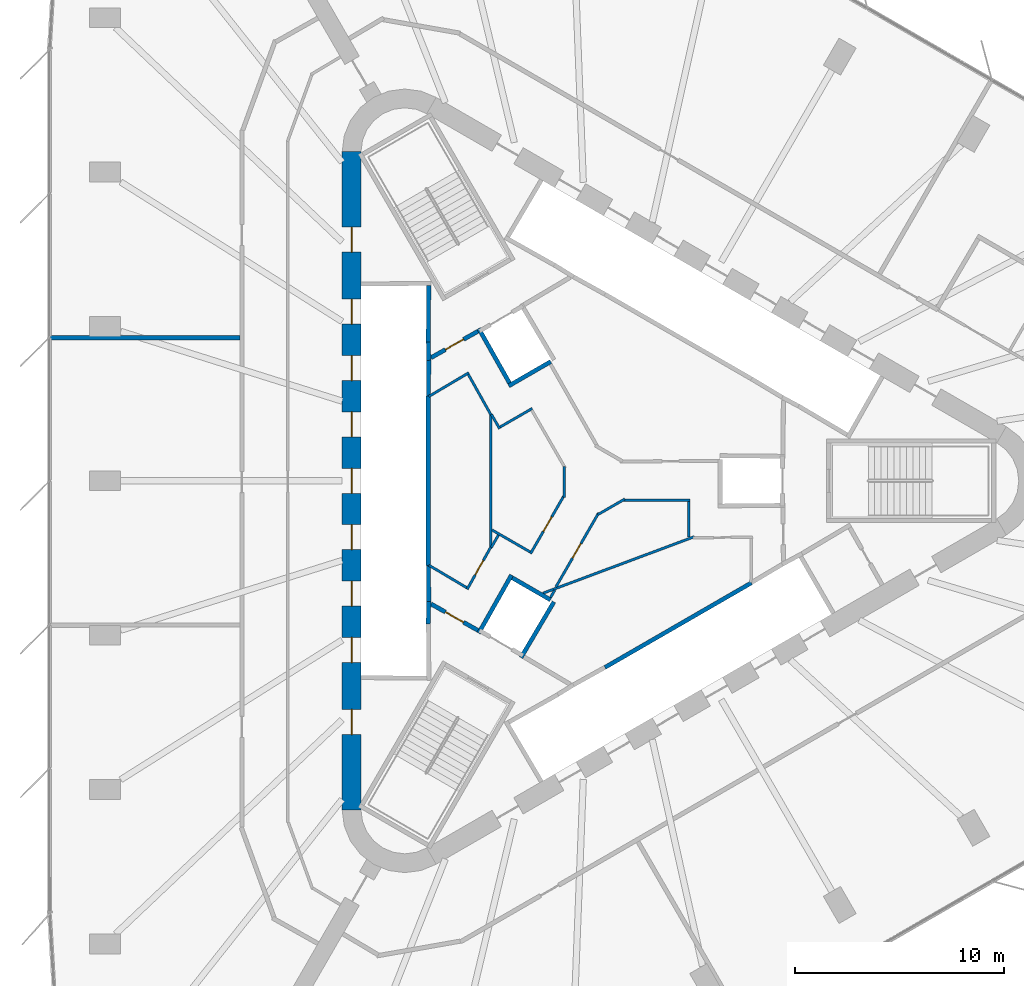
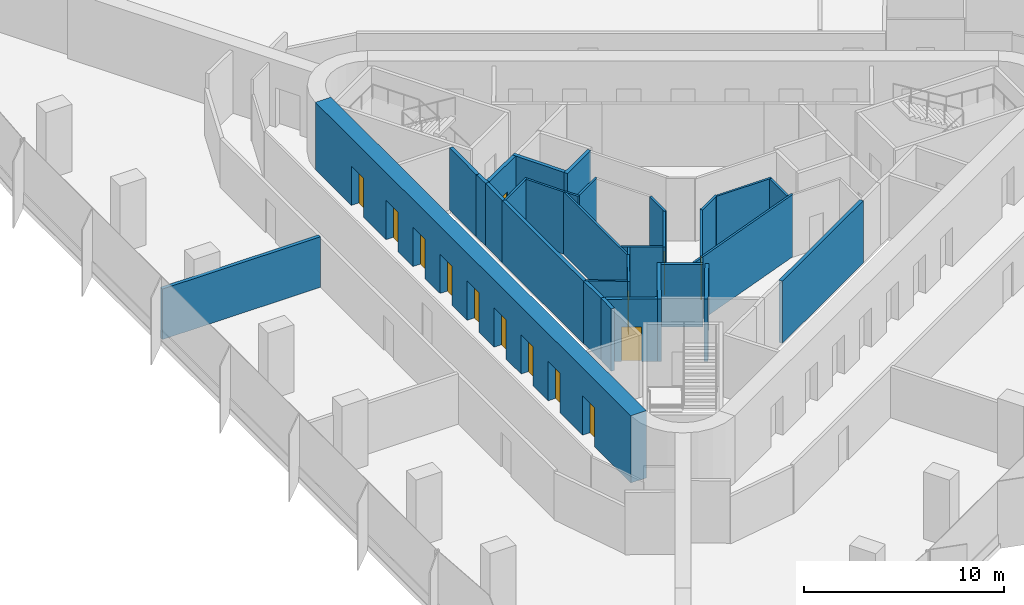
# One storey, part 10 of 14: 33 walls, 14 doors, 14 openings.
"""IFC4 building model written with IfcOpenShell, lengths in metres."""

from ifc_helpers import new_model, si_unit, direction, frame, frame_2d, origin, place, context, subcontext, project, spatial, rectangle, extrude, material, layer, layer_set, type_object, element, fill, save


model = new_model("IFC4")

# Units and contexts
model_context = context("Model", 3, precision=1e-05, world=origin(), true_north=direction((0.0, 1.0)))
body_context = subcontext(model_context, "Body", "Model", "MODEL_VIEW")
ifc_project = project(units=[si_unit("LENGTHUNIT", "METRE"), si_unit("AREAUNIT", "SQUARE_METRE"), si_unit("VOLUMEUNIT", "CUBIC_METRE"), si_unit("PLANEANGLEUNIT", "RADIAN"), si_unit("MASSUNIT", "GRAM", prefix="KILO")], contexts=[model_context])

# Site, building, storey
site_placement = place(None, origin())
site = spatial("IfcSite", under=ifc_project, at=site_placement, CompositionType="ELEMENT")
building_placement = place(site_placement, origin())
building = spatial("IfcBuilding", under=site, at=building_placement, Name="Tanit Gate Tower", CompositionType="ELEMENT")
storey_placement = place(building_placement, frame((0.0, 0.0, 49.60009765625)))
storey = spatial("IfcBuildingStorey", under=building, at=storey_placement, Name="L08", CompositionType="ELEMENT", Elevation=49.60009765625)

# Wall, openings, doors
ifc_material_1 = material(Name="Concrete C60/75", Category="concrete")
ifc_layer_1 = layer(ifc_material_1, 0.89990234375)
ifc_layer_set_1 = layer_set([ifc_layer_1], Name="CORE WALL 900 C60/75")
wall_type_1 = type_object("IfcWallType", Name="CORE WALL 900 C60/75", PredefinedType="SHEAR", material=ifc_layer_set_1)
wall_1_placement = place(storey_placement, frame((-11.64990234375, 15.76171875, 0.0), z_axis=(0.0, 0.0, 1.0), x_axis=(0.0, -1.0, 0.0)))
wall_1 = element("IfcWall", 1, at=wall_1_placement, inside=storey, type_object=wall_type_1, Name="CORE WALL", PredefinedType="SHEAR", context=body_context, shape_type="SweptSolid", body=[
    extrude(rectangle(XDim=31.5234375, YDim=0.89990234375, at=frame_2d((15.76171875, 0.0))), origin(), (0.0, 0.0, 1.0), 4.099853515625),
])
opening_1_placement = place(wall_1_placement, frame((7.061767578125, 0.0, 0.0)))
opening_1 = element("IfcOpeningElement", 2, at=opening_1_placement, cuts=wall_1, Name="Opening LDLL1-S00", PredefinedType="OPENING", context=body_context, shape_type="SweptSolid", body=[
    extrude(rectangle(XDim=1.199951171875, YDim=2.39990234375, at=frame_2d((0.60009765625, 1.199951171875))), frame((0.0, 0.4599609375, 0.0), z_axis=(0.0, -1.0, 0.0), x_axis=(1.0, 0.0, 0.0)), (0.0, 0.0, 1.0), 0.919921875),
])
opening_2_placement = place(wall_1_placement, frame((9.76171875, 0.0, 0.0)))
opening_2 = element("IfcOpeningElement", 3, at=opening_2_placement, cuts=wall_1, Name="Opening LDLL2-S00", PredefinedType="OPENING", context=body_context, shape_type="SweptSolid", body=[
    extrude(rectangle(XDim=1.199951171875, YDim=2.39990234375, at=frame_2d((0.60009765625, 1.199951171875))), frame((0.0, 0.4599609375, 0.0), z_axis=(0.0, -1.0, 0.0), x_axis=(1.0, 0.0, 0.0)), (0.0, 0.0, 1.0), 0.919921875),
])
opening_3_placement = place(wall_1_placement, frame((12.461669921875, 0.0, 0.0)))
opening_3 = element("IfcOpeningElement", 4, at=opening_3_placement, cuts=wall_1, Name="Opening LDLL3-S00", PredefinedType="OPENING", context=body_context, shape_type="SweptSolid", body=[
    extrude(rectangle(XDim=1.199951171875, YDim=2.39990234375, at=frame_2d((0.60009765625, 1.199951171875))), frame((0.0, 0.4599609375, 0.0), z_axis=(0.0, -1.0, 0.0), x_axis=(1.0, 0.0, 0.0)), (0.0, 0.0, 1.0), 0.919921875),
])
opening_4_placement = place(wall_1_placement, frame((15.16162109375, 0.0, 0.0)))
opening_4 = element("IfcOpeningElement", 5, at=opening_4_placement, cuts=wall_1, Name="Opening LDLL4-S00", PredefinedType="OPENING", context=body_context, shape_type="SweptSolid", body=[
    extrude(rectangle(XDim=1.199951171875, YDim=2.39990234375, at=frame_2d((0.60009765625, 1.199951171875))), frame((0.0, 0.4599609375, 0.0), z_axis=(0.0, -1.0, 0.0), x_axis=(1.0, 0.0, 0.0)), (0.0, 0.0, 1.0), 0.919921875),
])
opening_5_placement = place(wall_1_placement, frame((17.86181640625, 0.0, 0.0)))
opening_5 = element("IfcOpeningElement", 6, at=opening_5_placement, cuts=wall_1, Name="Opening LDLL5-S00", PredefinedType="OPENING", context=body_context, shape_type="SweptSolid", body=[
    extrude(rectangle(XDim=1.199951171875, YDim=2.39990234375, at=frame_2d((0.60009765625, 1.199951171875))), frame((0.0, 0.4599609375, 0.0), z_axis=(0.0, -1.0, 0.0), x_axis=(1.0, 0.0, 0.0)), (0.0, 0.0, 1.0), 0.919921875),
])
opening_6_placement = place(wall_1_placement, frame((20.561767578125, 0.0, 0.0)))
opening_6 = element("IfcOpeningElement", 7, at=opening_6_placement, cuts=wall_1, Name="Opening LDLL6-S00", PredefinedType="OPENING", context=body_context, shape_type="SweptSolid", body=[
    extrude(rectangle(XDim=1.199951171875, YDim=2.39990234375, at=frame_2d((0.60009765625, 1.199951171875))), frame((0.0, 0.4599609375, 0.0), z_axis=(0.0, -1.0, 0.0), x_axis=(1.0, 0.0, 0.0)), (0.0, 0.0, 1.0), 0.919921875),
])
opening_7_placement = place(wall_1_placement, frame((23.26171875, 0.0, 0.0)))
opening_7 = element("IfcOpeningElement", 8, at=opening_7_placement, cuts=wall_1, Name="Opening LDLL7-S00", PredefinedType="OPENING", context=body_context, shape_type="SweptSolid", body=[
    extrude(rectangle(XDim=1.199951171875, YDim=2.39990234375, at=frame_2d((0.60009765625, 1.199951171875))), frame((0.0, 0.4599609375, 0.0), z_axis=(0.0, -1.0, 0.0), x_axis=(1.0, 0.0, 0.0)), (0.0, 0.0, 1.0), 0.919921875),
])
opening_8_placement = place(wall_1_placement, frame((3.61181640625, 0.0, 0.0)))
opening_8 = element("IfcOpeningElement", 9, at=opening_8_placement, cuts=wall_1, Name="Opening F12-S00-FL2", PredefinedType="OPENING", context=body_context, shape_type="SweptSolid", body=[
    extrude(rectangle(XDim=1.199951171875, YDim=2.39990234375, at=frame_2d((0.60009765625, 1.199951171875))), frame((0.0, 0.4599609375, 0.0), z_axis=(0.0, -1.0, 0.0), x_axis=(1.0, 0.0, 0.0)), (0.0, 0.0, 1.0), 0.919921875),
])
opening_9_placement = place(wall_1_placement, frame((26.711669921875, 0.0, 0.0)))
opening_9 = element("IfcOpeningElement", 10, at=opening_9_placement, cuts=wall_1, Name="Opening F12-S00-S3", PredefinedType="OPENING", context=body_context, shape_type="SweptSolid", body=[
    extrude(rectangle(XDim=1.199951171875, YDim=2.39990234375, at=frame_2d((0.60009765625, 1.199951171875))), frame((0.0, 0.4599609375, 0.0), z_axis=(0.0, -1.0, 0.0), x_axis=(1.0, 0.0, 0.0)), (0.0, 0.0, 1.0), 0.919921875),
])
ifc_material_2 = material(Name="Fire-rated steel door leaf", Category="steel")
door_type_1 = type_object("IfcDoorType", Name="INT-DOOR-FIRE-LOBBY-1200", OperationType="NOTDEFINED", PredefinedType="USERDEFINED", material=ifc_material_2)
door_1_placement = place(opening_8_placement, origin())
door_1 = element("IfcDoor", 11, at=door_1_placement, inside=storey, type_object=door_type_1, Name="Door F12-S00-FL2", ObjectType="FIRE DOOR", OperationType="SINGLE_SWING_RIGHT", OverallHeight=2.39990234375, OverallWidth=1.199951171875, PredefinedType="USERDEFINED", context=body_context, shape_type="SweptSolid", body=[
    extrude(rectangle(XDim=1.199951171875, YDim=2.39990234375, at=frame_2d((0.60009765625, 1.199951171875))), frame((0.0, 0.02490234375, 0.0), z_axis=(0.0, -1.0, 0.0), x_axis=(1.0, 0.0, 0.0)), (0.0, 0.0, 1.0), 0.050048828125),
])
fill(opening_8, door_1)
door_2_placement = place(opening_9_placement, origin())
door_2 = element("IfcDoor", 12, at=door_2_placement, inside=storey, type_object=door_type_1, Name="Door F12-S00-S3", ObjectType="FIRE DOOR", OperationType="SINGLE_SWING_RIGHT", OverallHeight=2.39990234375, OverallWidth=1.199951171875, PredefinedType="USERDEFINED", context=body_context, shape_type="SweptSolid", body=[
    extrude(rectangle(XDim=1.199951171875, YDim=2.39990234375, at=frame_2d((0.60009765625, 1.199951171875))), frame((0.0, 0.02490234375, 0.0), z_axis=(0.0, -1.0, 0.0), x_axis=(1.0, 0.0, 0.0)), (0.0, 0.0, 1.0), 0.050048828125),
])
fill(opening_9, door_2)
ifc_material_3 = material(Name="Stainless steel sliding door leaf", Category="steel")
door_type_2 = type_object("IfcDoorType", Name="INT-DOOR-LANDING-1200", OperationType="NOTDEFINED", PredefinedType="USERDEFINED", material=ifc_material_3)
door_3_placement = place(opening_1_placement, origin())
door_3 = element("IfcDoor", 13, at=door_3_placement, inside=storey, type_object=door_type_2, Name="Door LDLL1-S00", ObjectType="LANDING DOOR", OperationType="SLIDING_TO_LEFT", OverallHeight=2.39990234375, OverallWidth=1.199951171875, PredefinedType="USERDEFINED", context=body_context, shape_type="SweptSolid", body=[
    extrude(rectangle(XDim=1.199951171875, YDim=2.39990234375, at=frame_2d((0.60009765625, 1.199951171875))), frame((0.0, 0.02490234375, 0.0), z_axis=(0.0, -1.0, 0.0), x_axis=(1.0, 0.0, 0.0)), (0.0, 0.0, 1.0), 0.050048828125),
])
fill(opening_1, door_3)
door_4_placement = place(opening_2_placement, origin())
door_4 = element("IfcDoor", 14, at=door_4_placement, inside=storey, type_object=door_type_2, Name="Door LDLL2-S00", ObjectType="LANDING DOOR", OperationType="SLIDING_TO_LEFT", OverallHeight=2.39990234375, OverallWidth=1.199951171875, PredefinedType="USERDEFINED", context=body_context, shape_type="SweptSolid", body=[
    extrude(rectangle(XDim=1.199951171875, YDim=2.39990234375, at=frame_2d((0.60009765625, 1.199951171875))), frame((0.0, 0.02490234375, 0.0), z_axis=(0.0, -1.0, 0.0), x_axis=(1.0, 0.0, 0.0)), (0.0, 0.0, 1.0), 0.050048828125),
])
fill(opening_2, door_4)
door_5_placement = place(opening_3_placement, origin())
door_5 = element("IfcDoor", 15, at=door_5_placement, inside=storey, type_object=door_type_2, Name="Door LDLL3-S00", ObjectType="LANDING DOOR", OperationType="SLIDING_TO_LEFT", OverallHeight=2.39990234375, OverallWidth=1.199951171875, PredefinedType="USERDEFINED", context=body_context, shape_type="SweptSolid", body=[
    extrude(rectangle(XDim=1.199951171875, YDim=2.39990234375, at=frame_2d((0.60009765625, 1.199951171875))), frame((0.0, 0.02490234375, 0.0), z_axis=(0.0, -1.0, 0.0), x_axis=(1.0, 0.0, 0.0)), (0.0, 0.0, 1.0), 0.050048828125),
])
fill(opening_3, door_5)
door_6_placement = place(opening_4_placement, origin())
door_6 = element("IfcDoor", 16, at=door_6_placement, inside=storey, type_object=door_type_2, Name="Door LDLL4-S00", ObjectType="LANDING DOOR", OperationType="SLIDING_TO_LEFT", OverallHeight=2.39990234375, OverallWidth=1.199951171875, PredefinedType="USERDEFINED", context=body_context, shape_type="SweptSolid", body=[
    extrude(rectangle(XDim=1.199951171875, YDim=2.39990234375, at=frame_2d((0.60009765625, 1.199951171875))), frame((0.0, 0.02490234375, 0.0), z_axis=(0.0, -1.0, 0.0), x_axis=(1.0, 0.0, 0.0)), (0.0, 0.0, 1.0), 0.050048828125),
])
fill(opening_4, door_6)
door_7_placement = place(opening_5_placement, origin())
door_7 = element("IfcDoor", 17, at=door_7_placement, inside=storey, type_object=door_type_2, Name="Door LDLL5-S00", ObjectType="LANDING DOOR", OperationType="SLIDING_TO_LEFT", OverallHeight=2.39990234375, OverallWidth=1.199951171875, PredefinedType="USERDEFINED", context=body_context, shape_type="SweptSolid", body=[
    extrude(rectangle(XDim=1.199951171875, YDim=2.39990234375, at=frame_2d((0.60009765625, 1.199951171875))), frame((0.0, 0.02490234375, 0.0), z_axis=(0.0, -1.0, 0.0), x_axis=(1.0, 0.0, 0.0)), (0.0, 0.0, 1.0), 0.050048828125),
])
fill(opening_5, door_7)
door_8_placement = place(opening_6_placement, origin())
door_8 = element("IfcDoor", 18, at=door_8_placement, inside=storey, type_object=door_type_2, Name="Door LDLL6-S00", ObjectType="LANDING DOOR", OperationType="SLIDING_TO_LEFT", OverallHeight=2.39990234375, OverallWidth=1.199951171875, PredefinedType="USERDEFINED", context=body_context, shape_type="SweptSolid", body=[
    extrude(rectangle(XDim=1.199951171875, YDim=2.39990234375, at=frame_2d((0.60009765625, 1.199951171875))), frame((0.0, 0.02490234375, 0.0), z_axis=(0.0, -1.0, 0.0), x_axis=(1.0, 0.0, 0.0)), (0.0, 0.0, 1.0), 0.050048828125),
])
fill(opening_6, door_8)
door_9_placement = place(opening_7_placement, origin())
door_9 = element("IfcDoor", 19, at=door_9_placement, inside=storey, type_object=door_type_2, Name="Door LDLL7-S00", ObjectType="LANDING DOOR", OperationType="SLIDING_TO_LEFT", OverallHeight=2.39990234375, OverallWidth=1.199951171875, PredefinedType="USERDEFINED", context=body_context, shape_type="SweptSolid", body=[
    extrude(rectangle(XDim=1.199951171875, YDim=2.39990234375, at=frame_2d((0.60009765625, 1.199951171875))), frame((0.0, 0.02490234375, 0.0), z_axis=(0.0, -1.0, 0.0), x_axis=(1.0, 0.0, 0.0)), (0.0, 0.0, 1.0), 0.050048828125),
])
fill(opening_7, door_9)

# Wall, opening, door
ifc_material_4 = material(Name="Fire-rated gypsum board partition")
ifc_layer_2 = layer(ifc_material_4, 0.199951171875)
ifc_layer_set_2 = layer_set([ifc_layer_2], Name="INT-WALL-COMPARTMENT")
wall_type_2 = type_object("IfcWallType", Name="INT-WALL-COMPARTMENT", PredefinedType="PARTITIONING", material=ifc_layer_set_2)
wall_2_placement = place(storey_placement, frame((-5.600341796875, 7.16015625, 0.0), z_axis=(0.0, 0.0, 1.0), x_axis=(-0.871363259478, -0.490638431059, 0.0)))
wall_2 = element("IfcWall", 20, at=wall_2_placement, inside=storey, type_object=wall_type_2, Name="Wall Compartment W062", PredefinedType="PARTITIONING", context=body_context, shape_type="SweptSolid", body=[
    extrude(rectangle(XDim=2.5810546875, YDim=0.199951171875, at=frame_2d((1.29052734375, 0.0))), origin(), (0.0, 0.0, 1.0), 3.7998046875),
])
opening_10_placement = place(wall_2_placement, frame((0.79052734375, 0.0, 0.0)))
opening_10 = element("IfcOpeningElement", 21, at=opening_10_placement, cuts=wall_2, Name="Opening F10-S00-05", PredefinedType="OPENING", context=body_context, shape_type="SweptSolid", body=[
    extrude(rectangle(XDim=1.0, YDim=2.10009765625, at=frame_2d((0.5, 1.050048828125))), frame((0.0, 0.10986328125, 0.0), z_axis=(0.0, -1.0, 0.0), x_axis=(1.0, 0.0, 0.0)), (0.0, 0.0, 1.0), 0.219970703125),
])
ifc_material_5 = material(Name="Fire-rated steel door leaf", Category="steel")
door_type_3 = type_object("IfcDoorType", Name="INT-DOOR-FIRE-1000", OperationType="NOTDEFINED", PredefinedType="USERDEFINED", material=ifc_material_5)
door_10_placement = place(opening_10_placement, origin())
door_10 = element("IfcDoor", 22, at=door_10_placement, inside=storey, type_object=door_type_3, Name="Door F10-S00-05", ObjectType="FIRE DOOR", OperationType="SINGLE_SWING_LEFT", OverallHeight=2.10009765625, OverallWidth=1.0, PredefinedType="USERDEFINED", context=body_context, shape_type="SweptSolid", body=[
    extrude(rectangle(XDim=1.0, YDim=2.10009765625, at=frame_2d((0.5, 1.050048828125))), frame((0.0, 0.02490234375, 0.0), z_axis=(0.0, -1.0, 0.0), x_axis=(1.0, 0.0, 0.0)), (0.0, 0.0, 1.0), 0.050048828125),
])
fill(opening_10, door_10)

wall_3_placement = place(storey_placement, frame((-7.849365234375, -5.893798828125, 0.0), z_axis=(0.0, 0.0, 1.0), x_axis=(0.871363259478, -0.490638431059, 0.0)))
wall_3 = element("IfcWall", 23, at=wall_3_placement, inside=storey, type_object=wall_type_2, Name="Wall Compartment W064", PredefinedType="PARTITIONING", context=body_context, shape_type="SweptSolid", body=[
    extrude(rectangle(XDim=2.5810546875, YDim=0.199951171875, at=frame_2d((1.29052734375, 0.0))), origin(), (0.0, 0.0, 1.0), 3.7998046875),
])
opening_11_placement = place(wall_3_placement, frame((0.79052734375, 0.0, 0.0)))
opening_11 = element("IfcOpeningElement", 24, at=opening_11_placement, cuts=wall_3, Name="Opening F10-S00-08", PredefinedType="OPENING", context=body_context, shape_type="SweptSolid", body=[
    extrude(rectangle(XDim=1.0, YDim=2.10009765625, at=frame_2d((0.5, 1.050048828125))), frame((0.0, 0.10986328125, 0.0), z_axis=(0.0, -1.0, 0.0), x_axis=(1.0, 0.0, 0.0)), (0.0, 0.0, 1.0), 0.219970703125),
])
door_11_placement = place(opening_11_placement, origin())
door_11 = element("IfcDoor", 25, at=door_11_placement, inside=storey, type_object=door_type_3, Name="Door F10-S00-08", ObjectType="FIRE DOOR", OperationType="SINGLE_SWING_RIGHT", OverallHeight=2.10009765625, OverallWidth=1.0, PredefinedType="USERDEFINED", context=body_context, shape_type="SweptSolid", body=[
    extrude(rectangle(XDim=1.0, YDim=2.10009765625, at=frame_2d((0.5, 1.050048828125))), frame((0.0, 0.02490234375, 0.0), z_axis=(0.0, -1.0, 0.0), x_axis=(1.0, 0.0, 0.0)), (0.0, 0.0, 1.0), 0.050048828125),
])
fill(opening_11, door_11)

# Walls
wall_4_placement = place(storey_placement, frame((-26.10888671875, 6.851806640625, 0.0), z_axis=(0.0, 0.0, 1.0), x_axis=(0.999999998563, 5.3604932e-05, 0.0)))
element("IfcWall", 26, at=wall_4_placement, inside=storey, type_object=wall_type_2, Name="Wall Compartment W118", PredefinedType="PARTITIONING", context=body_context, shape_type="SweptSolid", body=[
    extrude(rectangle(XDim=9.10888671875, YDim=0.199951171875, at=frame_2d((4.554443359375, 0.0))), origin(), (0.0, 0.0, 1.0), 3.079833984375),
])
ifc_material_6 = material(Name="Gypsum board partition")
ifc_layer_3 = layer(ifc_material_6, 0.1201171875)
ifc_layer_set_3 = layer_set([ifc_layer_3], Name="INT-WALL-PARTITION")
wall_type_3 = type_object("IfcWallType", Name="INT-WALL-PARTITION", PredefinedType="PARTITIONING", material=ifc_layer_set_3)
wall_5_placement = place(storey_placement, frame((4.769287109375, -2.673095703125, 0.0), z_axis=(0.0, 0.0, 1.0), x_axis=(-0.936819599564, -0.349812861217, 0.0)))
element("IfcWall", 27, at=wall_5_placement, inside=storey, type_object=wall_type_3, Name="Wall Partition W068", PredefinedType="PARTITIONING", context=body_context, shape_type="SweptSolid", body=[
    extrude(rectangle(XDim=7.7392578125, YDim=0.1201171875, at=frame_2d((3.86962890625, 0.0))), origin(), (0.0, 0.0, 1.0), 3.7998046875),
])

# Wall, opening, door
wall_6_placement = place(storey_placement, frame((0.181884765625, -1.534912109375, 0.0), z_axis=(0.0, 0.0, 1.0), x_axis=(-0.499966268063, -0.866044878051, 0.0)))
wall_6 = element("IfcWall", 28, at=wall_6_placement, inside=storey, type_object=wall_type_3, Name="Wall Partition W069", PredefinedType="PARTITIONING", context=body_context, shape_type="SweptSolid", body=[
    extrude(rectangle(XDim=4.102783203125, YDim=0.1201171875, at=frame_2d((2.05126953125, 0.0))), origin(), (0.0, 0.0, 1.0), 3.7998046875),
])
opening_12_placement = place(wall_6_placement, frame((1.703369140625, 0.0, 0.0)))
opening_12 = element("IfcOpeningElement", 29, at=opening_12_placement, cuts=wall_6, Name="Opening R08-S00-11", PredefinedType="OPENING", context=body_context, shape_type="SweptSolid", body=[
    extrude(rectangle(XDim=0.800048828125, YDim=2.10009765625, at=frame_2d((0.39990234375, 1.050048828125))), frame((0.0, 0.070068359375, 0.0), z_axis=(0.0, -1.0, 0.0), x_axis=(1.0, 0.0, 0.0)), (0.0, 0.0, 1.0), 0.14013671875),
])
ifc_material_7 = material(Name="Timber door leaf", Category="wood")
door_type_4 = type_object("IfcDoorType", Name="INT-DOOR-RISER-800", OperationType="NOTDEFINED", PredefinedType="USERDEFINED", material=ifc_material_7)
door_12_placement = place(opening_12_placement, origin())
door_12 = element("IfcDoor", 30, at=door_12_placement, inside=storey, type_object=door_type_4, Name="Door R08-S00-11", ObjectType="FIRE DOOR", OperationType="SINGLE_SWING_RIGHT", OverallHeight=2.10009765625, OverallWidth=0.800048828125, PredefinedType="USERDEFINED", context=body_context, shape_type="SweptSolid", body=[
    extrude(rectangle(XDim=0.800048828125, YDim=2.10009765625, at=frame_2d((0.39990234375, 1.050048828125))), frame((0.0, 0.02490234375, 0.0), z_axis=(0.0, -1.0, 0.0), x_axis=(1.0, 0.0, 0.0)), (0.0, 0.0, 1.0), 0.050048828125),
])
fill(opening_12, door_12)

# Walls
wall_7_placement = place(storey_placement, frame((1.432373046875, -0.873046875, 0.0), z_axis=(0.0, 0.0, 1.0), x_axis=(-0.866029572143, -0.499992780121, 0.0)))
element("IfcWall", 31, at=wall_7_placement, inside=storey, type_object=wall_type_3, Name="Wall Partition W070", PredefinedType="PARTITIONING", context=body_context, shape_type="SweptSolid", body=[
    extrude(rectangle(XDim=1.4853515625, YDim=0.1201171875, at=frame_2d((0.74267578125, 0.0))), origin(), (0.0, 0.0, 1.0), 3.7998046875),
])
wall_8_placement = place(storey_placement, frame((4.56005859375, -0.925048828125, 0.0), z_axis=(0.0, 0.0, 1.0), x_axis=(-1.0, 0.0, 0.0)))
element("IfcWall", 32, at=wall_8_placement, inside=storey, type_object=wall_type_3, Name="Wall Partition W071", PredefinedType="PARTITIONING", context=body_context, shape_type="SweptSolid", body=[
    extrude(rectangle(XDim=3.19921875, YDim=0.1201171875, at=frame_2d((1.599609375, 0.0))), origin(), (0.0, 0.0, 1.0), 3.7998046875),
])
wall_9_placement = place(storey_placement, frame((4.5, -2.699951171875, 0.0), z_axis=(0.0, 0.0, 1.0), x_axis=(0.0, 1.0, 0.0)))
element("IfcWall", 33, at=wall_9_placement, inside=storey, type_object=wall_type_3, Name="Wall Partition W072", PredefinedType="PARTITIONING", context=body_context, shape_type="SweptSolid", body=[
    extrude(rectangle(XDim=1.71484375, YDim=0.1201171875, at=frame_2d((0.857421875, 0.0))), origin(), (0.0, 0.0, 1.0), 3.7998046875),
])
wall_10_placement = place(storey_placement, frame((-1.92041015625, -5.235107421875, 0.0), z_axis=(0.0, 0.0, 1.0), x_axis=(-0.499566316511, -0.86627564632, 0.0)))
element("IfcWall", 34, at=wall_10_placement, inside=storey, type_object=wall_type_3, Name="Wall Partition W073", PredefinedType="PARTITIONING", context=body_context, shape_type="SweptSolid", body=[
    extrude(rectangle(XDim=0.406005859375, YDim=0.1201171875, at=frame_2d((0.203125, 0.0))), origin(), (0.0, 0.0, 1.0), 3.7998046875),
])
wall_11_placement = place(storey_placement, frame((-4.985107421875, -3.234619140625, 0.0), z_axis=(0.0, 0.0, 1.0), x_axis=(0.0, 1.0, 0.0)))
element("IfcWall", 35, at=wall_11_placement, inside=storey, type_object=wall_type_3, Name="Wall Partition W076", PredefinedType="PARTITIONING", context=body_context, shape_type="SweptSolid", body=[
    extrude(rectangle(XDim=6.46923828125, YDim=0.1201171875, at=frame_2d((3.234619140625, 0.0))), origin(), (0.0, 0.0, 1.0), 3.7998046875),
])

# Wall, opening, door
wall_12_placement = place(storey_placement, frame((-6.11767578125, -5.197509765625, 0.0), z_axis=(0.0, 0.0, 1.0), x_axis=(0.488782681023, 0.872405576972, 0.0)))
wall_12 = element("IfcWall", 36, at=wall_12_placement, inside=storey, type_object=wall_type_3, Name="Wall Partition W077", PredefinedType="PARTITIONING", context=body_context, shape_type="SweptSolid", body=[
    extrude(rectangle(XDim=2.321533203125, YDim=0.1201171875, at=frame_2d((1.16064453125, 0.0))), origin(), (0.0, 0.0, 1.0), 3.7998046875),
])
opening_13_placement = place(wall_12_placement, frame((0.790771484375, 0.0, 0.0)))
opening_13 = element("IfcOpeningElement", 37, at=opening_13_placement, cuts=wall_12, Name="Opening R08-S00-13", PredefinedType="OPENING", context=body_context, shape_type="SweptSolid", body=[
    extrude(rectangle(XDim=0.800048828125, YDim=2.10009765625, at=frame_2d((0.39990234375, 1.050048828125))), frame((0.0, 0.070068359375, 0.0), z_axis=(0.0, -1.0, 0.0), x_axis=(1.0, 0.0, 0.0)), (0.0, 0.0, 1.0), 0.14013671875),
])
door_13_placement = place(opening_13_placement, origin())
door_13 = element("IfcDoor", 38, at=door_13_placement, inside=storey, type_object=door_type_4, Name="Door R08-S00-13", ObjectType="FIRE DOOR", OperationType="SINGLE_SWING_RIGHT", OverallHeight=2.10009765625, OverallWidth=0.800048828125, PredefinedType="USERDEFINED", context=body_context, shape_type="SweptSolid", body=[
    extrude(rectangle(XDim=0.800048828125, YDim=2.10009765625, at=frame_2d((0.39990234375, 1.050048828125))), frame((0.0, 0.02490234375, 0.0), z_axis=(0.0, -1.0, 0.0), x_axis=(1.0, 0.0, 0.0)), (0.0, 0.0, 1.0), 0.050048828125),
])
fill(opening_13, door_13)

# Walls
wall_13_placement = place(storey_placement, frame((-7.949951171875, -4.041015625, 0.0), z_axis=(0.0, 0.0, 1.0), x_axis=(0.860112457103, -0.510104461004, 0.0)))
element("IfcWall", 39, at=wall_13_placement, inside=storey, type_object=wall_type_3, Name="Wall Partition W078", PredefinedType="PARTITIONING", context=body_context, shape_type="SweptSolid", body=[
    extrude(rectangle(XDim=2.1044921875, YDim=0.1201171875, at=frame_2d((1.05224609375, 0.0))), origin(), (0.0, 0.0, 1.0), 3.7998046875),
])
wall_14_placement = place(storey_placement, frame((-6.03662109375, 5.17578125, 0.0), z_axis=(0.0, 0.0, 1.0), x_axis=(-0.860106072674, -0.510115225953, 0.0)))
element("IfcWall", 40, at=wall_14_placement, inside=storey, type_object=wall_type_3, Name="Wall Partition W079", PredefinedType="PARTITIONING", context=body_context, shape_type="SweptSolid", body=[
    extrude(rectangle(XDim=2.224609375, YDim=0.1201171875, at=frame_2d((1.1123046875, 0.0))), origin(), (0.0, 0.0, 1.0), 3.7998046875),
])
wall_15_placement = place(storey_placement, frame((-4.98291015625, 3.172119140625, 0.0), z_axis=(0.0, 0.0, 1.0), x_axis=(-0.488728310113, 0.872436037136, 0.0)))
element("IfcWall", 41, at=wall_15_placement, inside=storey, type_object=wall_type_3, Name="Wall Partition W080", PredefinedType="PARTITIONING", context=body_context, shape_type="SweptSolid", body=[
    extrude(rectangle(XDim=2.201416015625, YDim=0.1201171875, at=frame_2d((1.1005859375, 0.0))), origin(), (0.0, 0.0, 1.0), 3.7998046875),
])
wall_16_placement = place(storey_placement, frame((-4.558349609375, 2.4951171875, 0.0), z_axis=(0.0, 0.0, 1.0), x_axis=(-0.499757756434, 0.866165218006, 0.0)))
element("IfcWall", 42, at=wall_16_placement, inside=storey, type_object=wall_type_3, Name="Wall Partition W081", PredefinedType="PARTITIONING", context=body_context, shape_type="SweptSolid", body=[
    extrude(rectangle(XDim=0.79833984375, YDim=0.1201171875, at=frame_2d((0.399169921875, 0.0))), origin(), (0.0, 0.0, 1.0), 3.7998046875),
])
wall_17_placement = place(storey_placement, frame((-2.9990234375, 3.464599609375, 0.0), z_axis=(0.0, 0.0, 1.0), x_axis=(-0.866059624469, -0.499940723351, 0.0)))
element("IfcWall", 43, at=wall_17_placement, inside=storey, type_object=wall_type_3, Name="Wall Partition W082", PredefinedType="PARTITIONING", context=body_context, shape_type="SweptSolid", body=[
    extrude(rectangle(XDim=1.775146484375, YDim=0.1201171875, at=frame_2d((0.8876953125, 0.0))), origin(), (0.0, 0.0, 1.0), 3.7998046875),
])
wall_18_placement = place(storey_placement, frame((-1.47216796875, -0.803955078125, 0.0), z_axis=(0.0, 0.0, 1.0), x_axis=(0.0, 1.0, 0.0)))
element("IfcWall", 44, at=wall_18_placement, inside=storey, type_object=wall_type_3, Name="Wall Partition W084", PredefinedType="PARTITIONING", context=body_context, shape_type="SweptSolid", body=[
    extrude(rectangle(XDim=1.4853515625, YDim=0.1201171875, at=frame_2d((0.74267578125, 0.0))), origin(), (0.0, 0.0, 1.0), 3.7998046875),
])

# Wall, opening, door
wall_19_placement = place(storey_placement, frame((-3.0810546875, -3.486572265625, 0.0), z_axis=(0.0, 0.0, 1.0), x_axis=(0.500013115284, 0.866017831539, 0.0)))
wall_19 = element("IfcWall", 45, at=wall_19_placement, inside=storey, type_object=wall_type_3, Name="Wall Partition W085", PredefinedType="PARTITIONING", context=body_context, shape_type="SweptSolid", body=[
    extrude(rectangle(XDim=3.19921875, YDim=0.1201171875, at=frame_2d((1.599609375, 0.0))), origin(), (0.0, 0.0, 1.0), 3.7998046875),
])
opening_14_placement = place(wall_19_placement, frame((1.2294921875, 0.0, 0.0)))
opening_14 = element("IfcOpeningElement", 46, at=opening_14_placement, cuts=wall_19, Name="Opening R08-S00-14", PredefinedType="OPENING", context=body_context, shape_type="SweptSolid", body=[
    extrude(rectangle(XDim=0.800048828125, YDim=2.10009765625, at=frame_2d((0.39990234375, 1.050048828125))), frame((0.0, 0.070068359375, 0.0), z_axis=(0.0, -1.0, 0.0), x_axis=(1.0, 0.0, 0.0)), (0.0, 0.0, 1.0), 0.14013671875),
])
door_14_placement = place(opening_14_placement, origin())
door_14 = element("IfcDoor", 47, at=door_14_placement, inside=storey, type_object=door_type_4, Name="Door R08-S00-14", ObjectType="FIRE DOOR", OperationType="SINGLE_SWING_LEFT", OverallHeight=2.10009765625, OverallWidth=0.800048828125, PredefinedType="USERDEFINED", context=body_context, shape_type="SweptSolid", body=[
    extrude(rectangle(XDim=0.800048828125, YDim=2.10009765625, at=frame_2d((0.39990234375, 1.050048828125))), frame((0.0, 0.02490234375, 0.0), z_axis=(0.0, -1.0, 0.0), x_axis=(1.0, 0.0, 0.0)), (0.0, 0.0, 1.0), 0.050048828125),
])
fill(opening_14, door_14)

# Walls
wall_20_placement = place(storey_placement, frame((-4.92529296875, -2.3525390625, 0.0), z_axis=(0.0, 0.0, 1.0), x_axis=(0.86604260665, -0.49997020258, 0.0)))
element("IfcWall", 48, at=wall_20_placement, inside=storey, type_object=wall_type_3, Name="Wall Partition W086", PredefinedType="PARTITIONING", context=body_context, shape_type="SweptSolid", body=[
    extrude(rectangle(XDim=2.104248046875, YDim=0.1201171875, at=frame_2d((1.05224609375, 0.0))), origin(), (0.0, 0.0, 1.0), 3.7998046875),
])
wall_21_placement = place(storey_placement, frame((-4.957275390625, -3.1865234375, 0.0), z_axis=(0.0, 0.0, 1.0), x_axis=(0.499971721724, 0.866041729639, 0.0)))
element("IfcWall", 49, at=wall_21_placement, inside=storey, type_object=wall_type_3, Name="Wall Partition W087", PredefinedType="PARTITIONING", context=body_context, shape_type="SweptSolid", body=[
    extrude(rectangle(XDim=0.67822265625, YDim=0.1201171875, at=frame_2d((0.339111328125, 0.0))), origin(), (0.0, 0.0, 1.0), 3.7998046875),
])
ifc_material_8 = material(Name="Gypsum shaft wall system")
ifc_layer_4 = layer(ifc_material_8, 0.199951171875)
ifc_layer_set_4 = layer_set([ifc_layer_4], Name="INT-WALL-SHAFT")
wall_type_4 = type_object("IfcWallType", Name="INT-WALL-SHAFT", PredefinedType="PLUMBINGWALL", material=ifc_layer_set_4)
wall_22_placement = place(storey_placement, frame((-7.951171875, 9.35009765625, 0.0), z_axis=(0.0, 0.0, 1.0), x_axis=(-0.011120469654, -0.999938165666, 0.0)))
element("IfcWall", 50, at=wall_22_placement, inside=storey, type_object=wall_type_4, Name="Wall Shaft W002", PredefinedType="PLUMBINGWALL", context=body_context, shape_type="SweptSolid", body=[
    extrude(rectangle(XDim=2.700439453125, YDim=0.199951171875, at=frame_2d((1.35009765625, 0.0))), origin(), (0.0, 0.0, 1.0), 3.7998046875),
])
wall_23_placement = place(storey_placement, frame((-7.97705078125, 6.650146484375, 0.0), z_axis=(0.0, 0.0, 1.0), x_axis=(0.030861509705, -0.999523670164, 0.0)))
element("IfcWall", 51, at=wall_23_placement, inside=storey, type_object=wall_type_4, Name="Wall Shaft W004", PredefinedType="PLUMBINGWALL", context=body_context, shape_type="SweptSolid", body=[
    extrude(rectangle(XDim=0.878173828125, YDim=0.199951171875, at=frame_2d((0.43896484375, 0.0))), origin(), (0.0, 0.0, 1.0), 3.7998046875),
])
wall_24_placement = place(storey_placement, frame((-7.94921875, 5.894775390625, 0.0), z_axis=(0.0, 0.0, 1.0), x_axis=(-0.012042535896, -0.999927486035, 0.0)))
element("IfcWall", 52, at=wall_24_placement, inside=storey, type_object=wall_type_4, Name="Wall Shaft W005", PredefinedType="PLUMBINGWALL", context=body_context, shape_type="SweptSolid", body=[
    extrude(rectangle(XDim=1.844970703125, YDim=0.199951171875, at=frame_2d((0.92236328125, 0.0))), origin(), (0.0, 0.0, 1.0), 3.7998046875),
])
wall_25_placement = place(storey_placement, frame((-7.97998046875, 4.050048828125, 0.0), z_axis=(0.0, 0.0, 1.0), x_axis=(0.0, -1.0, 0.0)))
element("IfcWall", 53, at=wall_25_placement, inside=storey, type_object=wall_type_4, Name="Wall Shaft W006", PredefinedType="PLUMBINGWALL", context=body_context, shape_type="SweptSolid", body=[
    extrude(rectangle(XDim=8.10009765625, YDim=0.199951171875, at=frame_2d((4.050048828125, 0.0))), origin(), (0.0, 0.0, 1.0), 3.7998046875),
])
wall_26_placement = place(storey_placement, frame((-7.949951171875, -5.7724609375, 0.0), z_axis=(0.0, 0.0, 1.0), x_axis=(-0.030803413295, -0.999525462272, 0.0)))
element("IfcWall", 54, at=wall_26_placement, inside=storey, type_object=wall_type_4, Name="Wall Shaft W009", PredefinedType="PLUMBINGWALL", context=body_context, shape_type="SweptSolid", body=[
    extrude(rectangle(XDim=1.077880859375, YDim=0.199951171875, at=frame_2d((0.5390625, 0.0))), origin(), (0.0, 0.0, 1.0), 3.7998046875),
])
wall_27_placement = place(storey_placement, frame((-7.971435546875, -4.050048828125, 0.0), z_axis=(0.0, 0.0, 1.0), x_axis=(0.012042535896, -0.999927486035, 0.0)))
element("IfcWall", 55, at=wall_27_placement, inside=storey, type_object=wall_type_4, Name="Wall Shaft W010", PredefinedType="PLUMBINGWALL", context=body_context, shape_type="SweptSolid", body=[
    extrude(rectangle(XDim=1.844970703125, YDim=0.199951171875, at=frame_2d((0.92236328125, 0.0))), origin(), (0.0, 0.0, 1.0), 3.7998046875),
])
wall_28_placement = place(storey_placement, frame((0.482666015625, -8.935791015625, 0.0), z_axis=(0.0, 0.0, 1.0), x_axis=(0.866030989016, 0.499990325971, 0.0)))
element("IfcWall", 56, at=wall_28_placement, inside=storey, type_object=wall_type_4, Name="Wall Shaft W031", PredefinedType="PLUMBINGWALL", context=body_context, shape_type="SweptSolid", body=[
    extrude(rectangle(XDim=8.099853515625, YDim=0.199951171875, at=frame_2d((4.0498046875, 0.0))), origin(), (0.0, 0.0, 1.0), 3.7998046875),
])
wall_29_placement = place(storey_placement, frame((-2.1083984375, 5.7109375, 0.0), z_axis=(0.0, 0.0, 1.0), x_axis=(-0.866009305107, -0.50002788269, 0.0)))
element("IfcWall", 57, at=wall_29_placement, inside=storey, type_object=wall_type_4, Name="Wall Shaft W047", PredefinedType="PLUMBINGWALL", context=body_context, shape_type="SweptSolid", body=[
    extrude(rectangle(XDim=2.329345703125, YDim=0.199951171875, at=frame_2d((1.16455078125, 0.0))), origin(), (0.0, 0.0, 1.0), 3.7998046875),
])
wall_30_placement = place(storey_placement, frame((-5.5625, 7.29638671875, 0.0), z_axis=(0.0, 0.0, 1.0), x_axis=(0.49134651263, -0.870964180966, 0.0)))
element("IfcWall", 58, at=wall_30_placement, inside=storey, type_object=wall_type_4, Name="Wall Shaft W048", PredefinedType="PLUMBINGWALL", context=body_context, shape_type="SweptSolid", body=[
    extrude(rectangle(XDim=3.000244140625, YDim=0.199951171875, at=frame_2d((1.5, 0.0))), origin(), (0.0, 0.0, 1.0), 3.7998046875),
])
wall_31_placement = place(storey_placement, frame((-1.960693359375, -5.796142578125, 0.0), z_axis=(0.0, 0.0, 1.0), x_axis=(-0.508647062354, -0.860975125052, 0.0)))
element("IfcWall", 59, at=wall_31_placement, inside=storey, type_object=wall_type_4, Name="Wall Shaft W054", PredefinedType="PLUMBINGWALL", context=body_context, shape_type="SweptSolid", body=[
    extrude(rectangle(XDim=3.10009765625, YDim=0.199951171875, at=frame_2d((1.550048828125, 0.0))), origin(), (0.0, 0.0, 1.0), 3.7998046875),
])
wall_32_placement = place(storey_placement, frame((-3.989990234375, -4.509033203125, 0.0), z_axis=(0.0, 0.0, 1.0), x_axis=(-0.491358283181, -0.870957540612, 0.0)))
element("IfcWall", 60, at=wall_32_placement, inside=storey, type_object=wall_type_4, Name="Wall Shaft W055", PredefinedType="PLUMBINGWALL", context=body_context, shape_type="SweptSolid", body=[
    extrude(rectangle(XDim=3.200439453125, YDim=0.199951171875, at=frame_2d((1.60009765625, 0.0))), origin(), (0.0, 0.0, 1.0), 3.7998046875),
])
wall_33_placement = place(storey_placement, frame((-3.95263671875, -4.646240234375, 0.0), z_axis=(0.0, 0.0, 1.0), x_axis=(0.866060616833, -0.499939004251, 0.0)))
element("IfcWall", 61, at=wall_33_placement, inside=storey, type_object=wall_type_4, Name="Wall Shaft W056", PredefinedType="PLUMBINGWALL", context=body_context, shape_type="SweptSolid", body=[
    extrude(rectangle(XDim=2.114501953125, YDim=0.199951171875, at=frame_2d((1.05712890625, 0.0))), origin(), (0.0, 0.0, 1.0), 3.7998046875),
])

save(model, "model.ifc")
